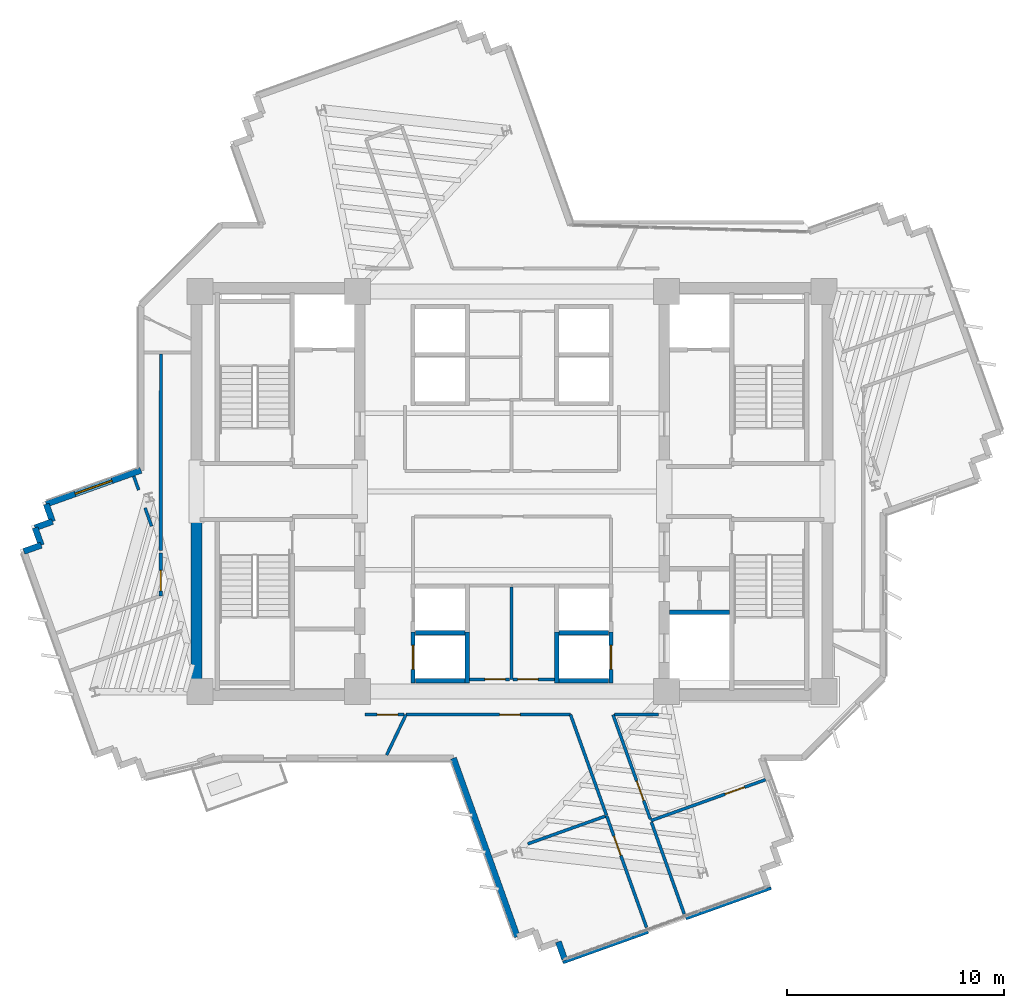
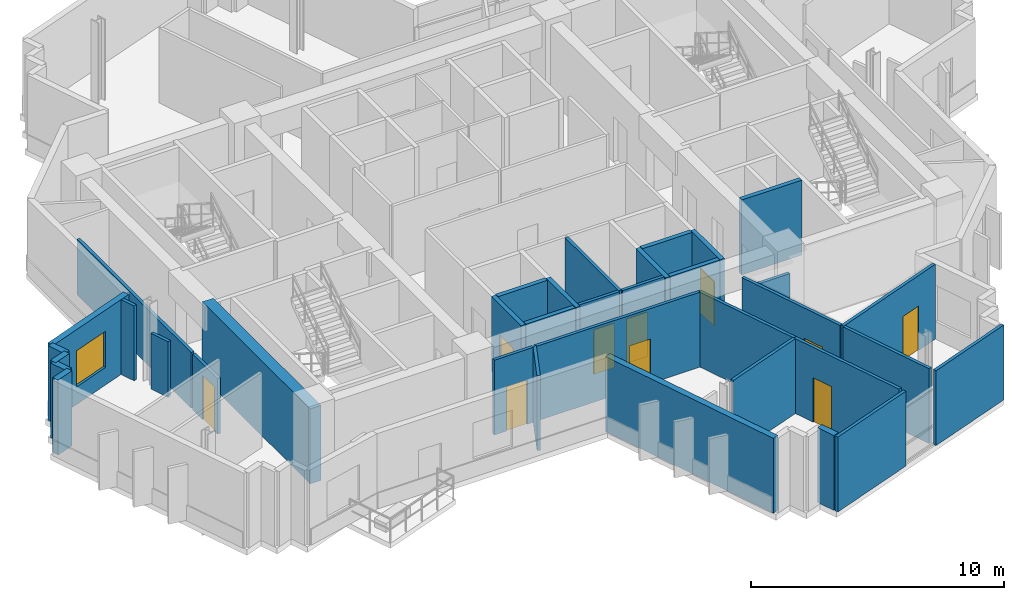
# One storey, part 6 of 13: 36 walls, 10 doors, 1 window, 11 openings.
"""IFC4 building model written with IfcOpenShell, lengths in metres."""

import ifcopenshell
import ifcopenshell.guid

model = None  # the IFC model being written
_history = None  # IfcOwnerHistory: only IFC2X3 demands one
_inside = {}  # id of a spatial element -> (the spatial element, [elements in it])
_under = {}  # id of a project, library or spatial element -> (it, [spatial elements below it])
_declared = {}  # id of a project -> (the project, [libraries it declares])
_typed = {}  # id of a type object -> (the type object, [elements of that type])
_made_of = {}  # id of a material, layer set ... -> (it, [elements and type objects made of it])


def new_model(schema):
    """Start an empty IFC model of exactly this schema.

    Asked for "IFC4X3", IfcOpenShell would pick the latest addendum, in which some entities
    have other attributes; the version numbers below select the first issue.
    IFC2X3 requires an IfcOwnerHistory on every rooted entity: one is made here for all.
    """
    global model, _history
    if schema == "IFC4X3":
        model = ifcopenshell.file(schema_version=(4, 3, 0, 0))
    else:
        model = ifcopenshell.file(schema=schema)
    _inside.clear()
    _under.clear()
    _declared.clear()
    _typed.clear()
    _made_of.clear()
    _history = None
    if model.schema == "IFC2X3":
        org = make("IfcOrganization", Name="unknown")
        user = make(
            "IfcPersonAndOrganization",
            ThePerson=make("IfcPerson", FamilyName="unknown"),
            TheOrganization=org,
        )
        app = make(
            "IfcApplication",
            ApplicationDeveloper=org,
            Version="unknown",
            ApplicationFullName="unknown",
            ApplicationIdentifier="unknown",
        )
        _history = make(
            "IfcOwnerHistory",
            OwningUser=user,
            OwningApplication=app,
            ChangeAction="ADDED",
            CreationDate=0,
        )
    return model


def make(cls, **values):
    """One entity of the class cls with the attributes given. An attribute that is None is left unset."""
    return model.create_entity(
        cls, **{name: value for name, value in values.items() if value is not None}
    )


def rooted(cls, **values):
    """An entity with a GlobalId (a new one), such as an element, a storey or a relation."""
    return make(cls, GlobalId=ifcopenshell.guid.new(), OwnerHistory=_history, **values)


def si_unit(unit_type, name, prefix=None):
    """IfcSIUnit, for example si_unit("LENGTHUNIT", "METRE", prefix="MILLI")."""
    return make("IfcSIUnit", UnitType=unit_type, Prefix=prefix, Name=name)


def assignment(units):
    """IfcUnitAssignment: the units of a project."""
    return None if units is None else make("IfcUnitAssignment", Units=units)


def point(xyz):
    """IfcCartesianPoint."""
    return None if xyz is None else make("IfcCartesianPoint", Coordinates=xyz)


def direction(xyz):
    """IfcDirection."""
    return None if xyz is None else make("IfcDirection", DirectionRatios=xyz)


def frame(location, z_axis=None, x_axis=None):
    """IfcAxis2Placement3D, a coordinate frame: its origin and axes. An axis left out is left unset."""
    return make(
        "IfcAxis2Placement3D",
        Location=point(location),
        Axis=direction(z_axis),
        RefDirection=direction(x_axis),
    )


def frame_2d(location, x_axis=None):
    """IfcAxis2Placement2D, a coordinate frame in the plane: its origin and x axis."""
    return make(
        "IfcAxis2Placement2D", Location=point(location), RefDirection=direction(x_axis)
    )


def origin():
    """The frame at (0, 0, 0) with its axes left unset."""
    return frame((0.0, 0.0, 0.0))


def place(relative_to, where):
    """IfcLocalPlacement: puts the frame where relative to a parent placement (None: the world)."""
    return make(
        "IfcLocalPlacement", PlacementRelTo=relative_to, RelativePlacement=where
    )


def context(
    kind, dimensions, precision=None, world=None, true_north=None, identifier=None
):
    """IfcGeometricRepresentationContext, for example the 3D "Model" context."""
    return make(
        "IfcGeometricRepresentationContext",
        ContextIdentifier=identifier,
        ContextType=kind,
        CoordinateSpaceDimension=dimensions,
        Precision=precision,
        WorldCoordinateSystem=world,
        TrueNorth=true_north,
    )


def subcontext(parent, identifier, kind, view, scale=None):
    """IfcGeometricRepresentationSubContext, for example "Body" below "Model"."""
    return make(
        "IfcGeometricRepresentationSubContext",
        ContextIdentifier=identifier,
        ContextType=kind,
        ParentContext=parent,
        TargetScale=scale,
        TargetView=view,
    )


def project(units=None, contexts=None):
    """IfcProject with its units and contexts."""
    return rooted(
        "IfcProject",
        Name="project",
        RepresentationContexts=contexts,
        UnitsInContext=assignment(units),
    )


def spatial(cls, under=None, at=None, **own):
    """A site, building, storey or space (cls), placed at a placement, below another one or the project."""
    s = rooted(cls, ObjectPlacement=at, **own)
    if under is not None:
        _under.setdefault(under.id(), (under, []))[1].append(s)
    return s


def profile(cls, at=None, kind="AREA", **sizes):
    """A parametric profile (cls). Its sizes go by their IFC names, for example OverallWidth=200.0."""
    return make(cls, ProfileType=kind, Position=at, **sizes)


def rectangle(**sizes):
    """IfcRectangleProfileDef."""
    return profile("IfcRectangleProfileDef", **sizes)


def extrude(swept, where, along, depth):
    """IfcExtrudedAreaSolid: the profile swept, set in the frame where, extruded along a direction by depth."""
    return make(
        "IfcExtrudedAreaSolid",
        SweptArea=swept,
        Position=where,
        ExtrudedDirection=direction(along),
        Depth=depth,
    )


def shape(context_of_items, identifier, shape_type, items):
    """IfcShapeRepresentation: the items that make up one representation, for example the "Body"."""
    return make(
        "IfcShapeRepresentation",
        ContextOfItems=context_of_items,
        RepresentationIdentifier=identifier,
        RepresentationType=shape_type,
        Items=items,
    )


def source(mapping_origin, context_of_items, identifier, shape_type, items):
    """IfcRepresentationMap: a shape defined once, which mapped items show again and again."""
    return make(
        "IfcRepresentationMap",
        MappingOrigin=mapping_origin,
        MappedRepresentation=shape(context_of_items, identifier, shape_type, items),
    )


def transform(
    local_origin,
    x_axis=None,
    y_axis=None,
    z_axis=None,
    scale=None,
    scale2=None,
    scale3=None,
    uniform=True,
):
    """IfcCartesianTransformationOperator3D, or its non-uniform kind. x_axis, y_axis, z_axis: its Axis1, 2, 3."""
    if uniform:
        return make(
            "IfcCartesianTransformationOperator3D",
            Axis1=direction(x_axis),
            Axis2=direction(y_axis),
            LocalOrigin=point(local_origin),
            Scale=scale,
            Axis3=direction(z_axis),
        )
    return make(
        "IfcCartesianTransformationOperator3DnonUniform",
        Axis1=direction(x_axis),
        Axis2=direction(y_axis),
        LocalOrigin=point(local_origin),
        Scale=scale,
        Axis3=direction(z_axis),
        Scale2=scale2,
        Scale3=scale3,
    )


def mapped(mapping_source, mapping_target):
    """IfcMappedItem: shows the shape of a source again, moved by a transform."""
    return make(
        "IfcMappedItem", MappingSource=mapping_source, MappingTarget=mapping_target
    )


def material(Name=None, Category=None):
    """IfcMaterial."""
    return make("IfcMaterial", Name=Name, Category=Category)


def layer(
    of_material, thickness, ventilated=None, Name=None, Category=None, Priority=None
):
    """IfcMaterialLayer: one layer of a wall or slab, of a material (None: an air gap)."""
    return make(
        "IfcMaterialLayer",
        Material=of_material,
        LayerThickness=thickness,
        IsVentilated=ventilated,
        Name=Name,
        Category=Category,
        Priority=Priority,
    )


def layer_set(layers, Name=None):
    """IfcMaterialLayerSet."""
    return make("IfcMaterialLayerSet", MaterialLayers=layers, LayerSetName=Name)


def made_of(thing, what):
    """Note that an element or type object is made of a material, layer set ...; save() writes the relation."""
    if what is not None:
        _made_of.setdefault(what.id(), (what, []))[1].append(thing)
    return thing


def type_object(cls, material=None, **own):
    """A type object (cls), such as IfcWallType, which elements share."""
    return made_of(rooted(cls, **own), material)


def element(
    cls,
    number,
    at=None,
    inside=None,
    cuts=None,
    type_object=None,
    material=None,
    context=None,
    identifier="Body",
    shape_type=None,
    held_by="IfcProductDefinitionShape",
    body=None,
    shapes=None,
    **own,
):
    """One element of the class cls, such as IfcWall. Its Tag is "e" and its number.

    at: its placement. inside: the storey or other place that contains it. cuts: it is an
    opening in that element (IfcRelVoidsElement). A single representation is given by context,
    identifier, shape_type and body (its items); several are given by shapes. held_by: the class
    of the entity that holds the representations. save() writes the other relations.
    """
    e = rooted(cls, Tag="e%d" % number, ObjectPlacement=at, **own)
    if body is not None:
        shapes = [shape(context, identifier, shape_type, body)]
    if shapes is not None:
        e.Representation = make(held_by, Representations=shapes)
    if inside is not None:
        _inside.setdefault(inside.id(), (inside, []))[1].append(e)
    if cuts is not None:
        rooted(
            "IfcRelVoidsElement", RelatingBuildingElement=cuts, RelatedOpeningElement=e
        )
    if type_object is not None:
        _typed.setdefault(type_object.id(), (type_object, []))[1].append(e)
    return made_of(e, material)


def fill(opening, filler):
    """IfcRelFillsElement: the door or window that sits in an opening."""
    return rooted(
        "IfcRelFillsElement",
        RelatingOpeningElement=opening,
        RelatedBuildingElement=filler,
    )


def aggregate(whole, parts):
    """IfcRelAggregates: a whole, such as a stair, and the parts it consists of."""
    return rooted("IfcRelAggregates", RelatingObject=whole, RelatedObjects=parts)


def save(model, path):
    """Write the relations noted so far, then the file.

    IfcRelAggregates (storeys below a building ...), IfcRelContainedInSpatialStructure (elements
    in a storey), IfcRelDefinesByType, IfcRelAssociatesMaterial and IfcRelDeclares: one each for
    every whole, place, type object, material and project.
    """
    for whole, parts in _under.values():
        aggregate(whole, parts)
    for where, things in _inside.values():
        rooted(
            "IfcRelContainedInSpatialStructure",
            RelatedElements=things,
            RelatingStructure=where,
        )
    for kind, things in _typed.values():
        rooted("IfcRelDefinesByType", RelatedObjects=things, RelatingType=kind)
    for what, things in _made_of.values():
        rooted("IfcRelAssociatesMaterial", RelatedObjects=things, RelatingMaterial=what)
    for by, libraries in _declared.values():
        rooted("IfcRelDeclares", RelatingContext=by, RelatedDefinitions=libraries)
    model.write(path)


model = new_model("IFC4")

# Units and contexts
model_context = context("Model", 3, precision=1e-05, world=origin(), true_north=direction((0.0, 1.0)))
body_context = subcontext(model_context, "Body", "Model", "MODEL_VIEW")
ifc_project = project(units=[si_unit("LENGTHUNIT", "METRE"), si_unit("AREAUNIT", "SQUARE_METRE"), si_unit("VOLUMEUNIT", "CUBIC_METRE"), si_unit("PLANEANGLEUNIT", "RADIAN"), si_unit("MASSUNIT", "GRAM", prefix="KILO")], contexts=[model_context])

# Site, building, storey
site_placement = place(None, origin())
site = spatial("IfcSite", under=ifc_project, at=site_placement, CompositionType="ELEMENT")
building_placement = place(site_placement, origin())
building = spatial("IfcBuilding", under=site, at=building_placement, Name="Zahravan Cultural Tower", CompositionType="ELEMENT")
storey_placement = place(building_placement, frame((0.0, 0.0, 221.39990234375)))
storey = spatial("IfcBuildingStorey", under=building, at=storey_placement, Name="L52", CompositionType="ELEMENT", Elevation=221.39990234375)

# Wall, opening, window
ifc_material_1 = material(Name="Precast concrete C40/50", Category="concrete")
ifc_layer_1 = layer(ifc_material_1, 0.280029296875)
ifc_layer_set_1 = layer_set([ifc_layer_1], Name="Precast concrete C40/50")
wall_type_1 = type_object("IfcWallType", Name="EW-TC-280", PredefinedType="SOLIDWALL", material=ifc_layer_set_1)
wall_1_placement = place(storey_placement, frame((14.586181640625, 26.41943359375, 0.0), z_axis=(0.0, 0.0, 1.0), x_axis=(0.941673795185, 0.336527062004, 0.0)))
wall_1 = element("IfcWall", 1, at=wall_1_placement, inside=storey, type_object=wall_type_1, Name="L52 Exterior Masonry Frame Wall 36", PredefinedType="SOLIDWALL", context=body_context, shape_type="SweptSolid", body=[
    extrude(rectangle(XDim=4.62353515625, YDim=0.280029296875, at=frame_2d((2.311767578125, 0.0))), origin(), (0.0, 0.0, 1.0), 3.6201171875),
])
opening_1_placement = place(wall_1_placement, frame((1.412109375, 0.0, 0.85009765625)))
opening_1 = element("IfcOpeningElement", 2, at=opening_1_placement, cuts=wall_1, Name="Opening WN-02", PredefinedType="OPENING", context=body_context, shape_type="SweptSolid", body=[
    extrude(rectangle(XDim=1.800048828125, YDim=1.75, at=frame_2d((0.89990234375, 0.875))), frame((0.0, 0.14990234375, 0.0), z_axis=(0.0, -1.0, 0.0), x_axis=(1.0, 0.0, 0.0)), (0.0, 0.0, 1.0), 0.300048828125),
])
ifc_material_2 = material(Name="Low-E solar-control double glazing", Category="glass")
window_type = type_object("IfcWindowType", Name="WN-REC-1800X1750", PartitioningType="DOUBLE_PANEL_VERTICAL", PredefinedType="WINDOW", material=ifc_material_2)
shared_shape_1 = source(origin(), body_context, "Body", "SweptSolid", [
    extrude(rectangle(XDim=1.800048828125, YDim=1.75, at=frame_2d((0.89990234375, 0.875))), frame((0.0, 0.030029296875, 0.0), z_axis=(0.0, -1.0, 0.0), x_axis=(1.0, 0.0, 0.0)), (0.0, 0.0, 1.0), 0.06005859375),
])
window_placement = place(opening_1_placement, origin())
window = element("IfcWindow", 3, at=window_placement, inside=storey, type_object=window_type, Name="L52 Recessed Solar Window 08", OverallHeight=1.75, OverallWidth=1.800048828125, PartitioningType="DOUBLE_PANEL_VERTICAL", PredefinedType="WINDOW", context=body_context, shape_type="MappedRepresentation", body=[
    mapped(shared_shape_1, transform((0.0, 0.0, 0.0), x_axis=(1.0, 0.0, 0.0), y_axis=(0.0, 1.0, 0.0), z_axis=(0.0, 0.0, 1.0), scale=1.0)),
])
fill(opening_1, window)

# Wall, opening, door
ifc_material_3 = material(Name="Gypsum plasterboard partition")
ifc_layer_2 = layer(ifc_material_3, 0.139892578125)
ifc_layer_set_2 = layer_set([ifc_layer_2], Name="Gypsum plasterboard partition")
wall_type_2 = type_object("IfcWallType", Name="W-PART-140", PredefinedType="PARTITIONING", material=ifc_layer_set_2)
wall_2_placement = place(storey_placement, frame((35.89501953125, 18.360107421875, 0.0), z_axis=(0.0, 0.0, 1.0), x_axis=(-1.0, 0.0, 0.0)))
wall_2 = element("IfcWall", 4, at=wall_2_placement, inside=storey, type_object=wall_type_2, Name="L52 Interior Wall 065", PredefinedType="PARTITIONING", context=body_context, shape_type="SweptSolid", body=[
    extrude(rectangle(XDim=1.840087890625, YDim=0.139892578125, at=frame_2d((0.919921875, 0.0))), origin(), (0.0, 0.0, 1.0), 3.6201171875),
])
opening_2_placement = place(wall_2_placement, frame((0.19580078125, 0.0, 0.0)))
opening_2 = element("IfcOpeningElement", 5, at=opening_2_placement, cuts=wall_2, Name="Opening D-L52-18", PredefinedType="OPENING", context=body_context, shape_type="SweptSolid", body=[
    extrude(rectangle(XDim=0.949951171875, YDim=2.14990234375, at=frame_2d((0.47509765625, 1.074951171875))), frame((0.0, 0.079833984375, 0.0), z_axis=(0.0, -1.0, 0.0), x_axis=(1.0, 0.0, 0.0)), (0.0, 0.0, 1.0), 0.159912109375),
])
ifc_material_4 = material(Name="Anodised bronze-aluminium mullion", Category="aluminium")
door_type_1 = type_object("IfcDoorType", Name="DR-ROOM-950", OperationType="NOTDEFINED", PredefinedType="DOOR", material=ifc_material_4)
shared_shape_2 = source(origin(), body_context, "Body", "SweptSolid", [
    extrude(rectangle(XDim=0.949951171875, YDim=2.14990234375, at=frame_2d((0.47509765625, 1.074951171875))), frame((0.0, 0.02490234375, 0.0), z_axis=(0.0, -1.0, 0.0), x_axis=(1.0, 0.0, 0.0)), (0.0, 0.0, 1.0), 0.050048828125),
])
door_1_placement = place(opening_2_placement, origin())
door_1 = element("IfcDoor", 6, at=door_1_placement, inside=storey, type_object=door_type_1, Name="L52 Door D-L52-18", OperationType="SINGLE_SWING_LEFT", OverallHeight=2.14990234375, OverallWidth=0.949951171875, PredefinedType="DOOR", context=body_context, shape_type="MappedRepresentation", body=[
    mapped(shared_shape_2, transform((0.0, 0.0, 0.0), x_axis=(1.0, 0.0, 0.0), y_axis=(0.0, 1.0, 0.0), z_axis=(0.0, 0.0, 1.0), scale=1.0)),
])
fill(opening_2, door_1)

wall_3_placement = place(storey_placement, frame((37.945068359375, 18.360107421875, 0.0), z_axis=(0.0, 0.0, 1.0), x_axis=(-1.0, 0.0, 0.0)))
wall_3 = element("IfcWall", 7, at=wall_3_placement, inside=storey, type_object=wall_type_2, Name="L52 Interior Wall 067", PredefinedType="PARTITIONING", context=body_context, shape_type="SweptSolid", body=[
    extrude(rectangle(XDim=1.900146484375, YDim=0.139892578125, at=frame_2d((0.9501953125, 0.0))), origin(), (0.0, 0.0, 1.0), 3.6201171875),
])
opening_3_placement = place(wall_3_placement, frame((0.740966796875, 0.0, 0.0)))
opening_3 = element("IfcOpeningElement", 8, at=opening_3_placement, cuts=wall_3, Name="Opening D-L52-19", PredefinedType="OPENING", context=body_context, shape_type="SweptSolid", body=[
    extrude(rectangle(XDim=0.949951171875, YDim=2.14990234375, at=frame_2d((0.47509765625, 1.074951171875))), frame((0.0, 0.079833984375, 0.0), z_axis=(0.0, -1.0, 0.0), x_axis=(1.0, 0.0, 0.0)), (0.0, 0.0, 1.0), 0.159912109375),
])
door_2_placement = place(opening_3_placement, origin())
door_2 = element("IfcDoor", 9, at=door_2_placement, inside=storey, type_object=door_type_1, Name="L52 Door D-L52-19", OperationType="SINGLE_SWING_RIGHT", OverallHeight=2.14990234375, OverallWidth=0.949951171875, PredefinedType="DOOR", context=body_context, shape_type="MappedRepresentation", body=[
    mapped(shared_shape_2, transform((0.0, 0.0, 0.0), x_axis=(1.0, 0.0, 0.0), y_axis=(0.0, 1.0, 0.0), z_axis=(0.0, 0.0, 1.0), scale=1.0)),
])
fill(opening_3, door_2)

wall_4_placement = place(storey_placement, frame((42.3857421875, 11.8662109375, 0.0), z_axis=(0.0, 0.0, 1.0), x_axis=(0.94166093099, 0.336563056568, 0.0)))
wall_4 = element("IfcWall", 10, at=wall_4_placement, inside=storey, type_object=wall_type_2, Name="L52 Interior Wall 083", PredefinedType="PARTITIONING", context=body_context, shape_type="SweptSolid", body=[
    extrude(rectangle(XDim=5.594970703125, YDim=0.139892578125, at=frame_2d((2.79736328125, 0.0))), origin(), (0.0, 0.0, 1.0), 3.6201171875),
])
opening_4_placement = place(wall_4_placement, frame((3.623046875, 0.0, 0.0)))
opening_4 = element("IfcOpeningElement", 11, at=opening_4_placement, cuts=wall_4, Name="Opening D-L52-31", PredefinedType="OPENING", context=body_context, shape_type="SweptSolid", body=[
    extrude(rectangle(XDim=0.949951171875, YDim=2.14990234375, at=frame_2d((0.47509765625, 1.074951171875))), frame((0.0, 0.079833984375, 0.0), z_axis=(0.0, -1.0, 0.0), x_axis=(1.0, 0.0, 0.0)), (0.0, 0.0, 1.0), 0.159912109375),
])
door_3_placement = place(opening_4_placement, origin())
door_3 = element("IfcDoor", 12, at=door_3_placement, inside=storey, type_object=door_type_1, Name="L52 Door D-L52-31", OperationType="SINGLE_SWING_RIGHT", OverallHeight=2.14990234375, OverallWidth=0.949951171875, PredefinedType="DOOR", context=body_context, shape_type="MappedRepresentation", body=[
    mapped(shared_shape_2, transform((0.0, 0.0, 0.0), x_axis=(1.0, 0.0, 0.0), y_axis=(0.0, 1.0, 0.0), z_axis=(0.0, 0.0, 1.0), scale=1.0)),
])
fill(opening_4, door_3)

wall_5_placement = place(storey_placement, frame((40.35009765625, 12.094482421875, 0.0), z_axis=(0.0, 0.0, 1.0), x_axis=(0.336563203689, -0.941660878407, 0.0)))
wall_5 = element("IfcWall", 13, at=wall_5_placement, inside=storey, type_object=wall_type_2, Name="L52 Interior Wall 089", PredefinedType="PARTITIONING", context=body_context, shape_type="SweptSolid", body=[
    extrude(rectangle(XDim=5.455078125, YDim=0.139892578125, at=frame_2d((2.7275390625, 0.0))), origin(), (0.0, 0.0, 1.0), 3.6201171875),
])
opening_5_placement = place(wall_5_placement, frame((0.9912109375, 0.0, 0.0)))
opening_5 = element("IfcOpeningElement", 14, at=opening_5_placement, cuts=wall_5, Name="Opening D-L52-27", PredefinedType="OPENING", context=body_context, shape_type="SweptSolid", body=[
    extrude(rectangle(XDim=0.949951171875, YDim=2.14990234375, at=frame_2d((0.47509765625, 1.074951171875))), frame((0.0, 0.079833984375, 0.0), z_axis=(0.0, -1.0, 0.0), x_axis=(1.0, 0.0, 0.0)), (0.0, 0.0, 1.0), 0.159912109375),
])
door_4_placement = place(opening_5_placement, origin())
door_4 = element("IfcDoor", 15, at=door_4_placement, inside=storey, type_object=door_type_1, Name="L52 Door D-L52-27", OperationType="SINGLE_SWING_RIGHT", OverallHeight=2.14990234375, OverallWidth=0.949951171875, PredefinedType="DOOR", context=body_context, shape_type="MappedRepresentation", body=[
    mapped(shared_shape_2, transform((0.0, 0.0, 0.0), x_axis=(1.0, 0.0, 0.0), y_axis=(0.0, 1.0, 0.0), z_axis=(0.0, 0.0, 1.0), scale=1.0)),
])
fill(opening_5, door_4)

wall_6_placement = place(storey_placement, frame((19.85009765625, 24.1708984375, 0.0), z_axis=(0.0, 0.0, 1.0), x_axis=(0.0, -1.0, 0.0)))
wall_6 = element("IfcWall", 16, at=wall_6_placement, inside=storey, type_object=wall_type_2, Name="L52 Interior Wall 095", PredefinedType="PARTITIONING", context=body_context, shape_type="SweptSolid", body=[
    extrude(rectangle(XDim=1.9658203125, YDim=0.139892578125, at=frame_2d((0.98291015625, 0.0))), origin(), (0.0, 0.0, 1.0), 2.693115234375),
])
opening_6_placement = place(wall_6_placement, frame((0.79248046875, 0.0, 0.0)))
opening_6 = element("IfcOpeningElement", 17, at=opening_6_placement, cuts=wall_6, Name="Opening D-L52-24", PredefinedType="OPENING", context=body_context, shape_type="SweptSolid", body=[
    extrude(rectangle(XDim=0.949951171875, YDim=2.14990234375, at=frame_2d((0.47509765625, 1.074951171875))), frame((0.0, 0.079833984375, 0.0), z_axis=(0.0, -1.0, 0.0), x_axis=(1.0, 0.0, 0.0)), (0.0, 0.0, 1.0), 0.159912109375),
])
door_5_placement = place(opening_6_placement, origin())
door_5 = element("IfcDoor", 18, at=door_5_placement, inside=storey, type_object=door_type_1, Name="L52 Door D-L52-24", OperationType="SINGLE_SWING_LEFT", OverallHeight=2.14990234375, OverallWidth=0.949951171875, PredefinedType="DOOR", context=body_context, shape_type="MappedRepresentation", body=[
    mapped(shared_shape_2, transform((0.0, 0.0, 0.0), x_axis=(1.0, 0.0, 0.0), y_axis=(0.0, 1.0, 0.0), z_axis=(0.0, 0.0, 1.0), scale=1.0)),
])
fill(opening_6, door_5)

wall_7_placement = place(storey_placement, frame((31.126220703125, 16.739990234375, 0.0), z_axis=(0.0, 0.0, 1.0), x_axis=(1.0, 0.0, 0.0)))
wall_7 = element("IfcWall", 19, at=wall_7_placement, inside=storey, type_object=wall_type_2, Name="L52 Interior Wall 097", PredefinedType="PARTITIONING", context=body_context, shape_type="SweptSolid", body=[
    extrude(rectangle(XDim=7.563720703125, YDim=0.139892578125, at=frame_2d((3.78173828125, 0.0))), origin(), (0.0, 0.0, 1.0), 3.6201171875),
])
opening_7_placement = place(wall_7_placement, frame((4.299072265625, 0.0, 0.0)))
opening_7 = element("IfcOpeningElement", 20, at=opening_7_placement, cuts=wall_7, Name="Opening D-L52-26", PredefinedType="OPENING", context=body_context, shape_type="SweptSolid", body=[
    extrude(rectangle(XDim=0.949951171875, YDim=2.14990234375, at=frame_2d((0.47509765625, 1.074951171875))), frame((0.0, 0.079833984375, 0.0), z_axis=(0.0, -1.0, 0.0), x_axis=(1.0, 0.0, 0.0)), (0.0, 0.0, 1.0), 0.159912109375),
])
door_6_placement = place(opening_7_placement, origin())
door_6 = element("IfcDoor", 21, at=door_6_placement, inside=storey, type_object=door_type_1, Name="L52 Door D-L52-26", OperationType="SINGLE_SWING_LEFT", OverallHeight=2.14990234375, OverallWidth=0.949951171875, PredefinedType="DOOR", context=body_context, shape_type="MappedRepresentation", body=[
    mapped(shared_shape_2, transform((0.0, 0.0, 0.0), x_axis=(1.0, 0.0, 0.0), y_axis=(0.0, 1.0, 0.0), z_axis=(0.0, 0.0, 1.0), scale=1.0)),
])
fill(opening_7, door_6)

wall_8_placement = place(storey_placement, frame((42.360595703125, 11.93701171875, 0.0), z_axis=(0.0, 0.0, 1.0), x_axis=(-0.336588056289, 0.941651995359, 0.0)))
wall_8 = element("IfcWall", 22, at=wall_8_placement, inside=storey, type_object=wall_type_2, Name="L52 Interior Wall 100", PredefinedType="PARTITIONING", context=body_context, shape_type="SweptSolid", body=[
    extrude(rectangle(XDim=5.1005859375, YDim=0.139892578125, at=frame_2d((2.55029296875, 0.0))), origin(), (0.0, 0.0, 1.0), 3.6201171875),
])
opening_8_placement = place(wall_8_placement, frame((0.9130859375, 0.0, 0.0)))
opening_8 = element("IfcOpeningElement", 23, at=opening_8_placement, cuts=wall_8, Name="Opening D-L52-28", PredefinedType="OPENING", context=body_context, shape_type="SweptSolid", body=[
    extrude(rectangle(XDim=0.949951171875, YDim=2.14990234375, at=frame_2d((0.47509765625, 1.074951171875))), frame((0.0, 0.079833984375, 0.0), z_axis=(0.0, -1.0, 0.0), x_axis=(1.0, 0.0, 0.0)), (0.0, 0.0, 1.0), 0.159912109375),
])
door_7_placement = place(opening_8_placement, origin())
door_7 = element("IfcDoor", 24, at=door_7_placement, inside=storey, type_object=door_type_1, Name="L52 Door D-L52-28", OperationType="SINGLE_SWING_LEFT", OverallHeight=2.14990234375, OverallWidth=0.949951171875, PredefinedType="DOOR", context=body_context, shape_type="MappedRepresentation", body=[
    mapped(shared_shape_2, transform((0.0, 0.0, 0.0), x_axis=(1.0, 0.0, 0.0), y_axis=(0.0, 1.0, 0.0), z_axis=(0.0, 0.0, 1.0), scale=1.0)),
])
fill(opening_8, door_7)

wall_9_placement = place(storey_placement, frame((29.251708984375, 16.74267578125, 0.0), z_axis=(0.0, 0.0, 1.0), x_axis=(0.999998876126, -0.00149924869, 0.0)))
wall_9 = element("IfcWall", 25, at=wall_9_placement, inside=storey, type_object=wall_type_2, Name="L52 Interior Wall 106", PredefinedType="PARTITIONING", context=body_context, shape_type="SweptSolid", body=[
    extrude(rectangle(XDim=1.791259765625, YDim=0.139892578125, at=frame_2d((0.8955078125, 0.0))), origin(), (0.0, 0.0, 1.0), 3.6201171875),
])
opening_9_placement = place(wall_9_placement, frame((0.546875, 0.0, 0.0)))
opening_9 = element("IfcOpeningElement", 26, at=opening_9_placement, cuts=wall_9, Name="Opening D-L52-25", PredefinedType="OPENING", context=body_context, shape_type="SweptSolid", body=[
    extrude(rectangle(XDim=0.949951171875, YDim=2.14990234375, at=frame_2d((0.47509765625, 1.074951171875))), frame((0.0, 0.079833984375, 0.0), z_axis=(0.0, -1.0, 0.0), x_axis=(1.0, 0.0, 0.0)), (0.0, 0.0, 1.0), 0.159912109375),
])
door_8_placement = place(opening_9_placement, origin())
door_8 = element("IfcDoor", 27, at=door_8_placement, inside=storey, type_object=door_type_1, Name="L52 Door D-L52-25", OperationType="SINGLE_SWING_RIGHT", OverallHeight=2.14990234375, OverallWidth=0.949951171875, PredefinedType="DOOR", context=body_context, shape_type="MappedRepresentation", body=[
    mapped(shared_shape_2, transform((0.0, 0.0, 0.0), x_axis=(1.0, 0.0, 0.0), y_axis=(0.0, 1.0, 0.0), z_axis=(0.0, 0.0, 1.0), scale=1.0)),
])
fill(opening_9, door_8)

ifc_material_5 = material(Name="Concrete C45/55", Category="concrete")
ifc_layer_3 = layer(ifc_material_5, 0.199951171875)
ifc_layer_set_3 = layer_set([ifc_layer_3], Name="Concrete C45/55")
wall_type_3 = type_object("IfcWallType", Name="W-SHAFT-200", PredefinedType="SOLIDWALL", material=ifc_layer_set_3)
wall_10_placement = place(storey_placement, frame((31.449951171875, 18.199951171875, 0.0), z_axis=(0.0, 0.0, 1.0), x_axis=(0.0, 1.0, 0.0)))
wall_10 = element("IfcWall", 28, at=wall_10_placement, inside=storey, type_object=wall_type_3, Name="L52 Interior Wall 046", PredefinedType="SOLIDWALL", context=body_context, shape_type="SweptSolid", body=[
    extrude(rectangle(XDim=2.35009765625, YDim=0.199951171875, at=frame_2d((1.175048828125, 0.0))), origin(), (0.0, 0.0, 1.0), 3.6201171875),
])
opening_10_placement = place(wall_10_placement, frame((0.625, 0.0, 0.0)))
opening_10 = element("IfcOpeningElement", 29, at=opening_10_placement, cuts=wall_10, Name="Opening LD-L52-05", PredefinedType="OPENING", context=body_context, shape_type="SweptSolid", body=[
    extrude(rectangle(XDim=1.10009765625, YDim=2.14990234375, at=frame_2d((0.550048828125, 1.074951171875))), frame((0.0, 0.10986328125, 0.0), z_axis=(0.0, -1.0, 0.0), x_axis=(1.0, 0.0, 0.0)), (0.0, 0.0, 1.0), 0.219970703125),
])
ifc_material_6 = material(Name="Steel ASTM A572 Grade 50", Category="steel")
door_type_2 = type_object("IfcDoorType", Name="DR-LIFT-1100", OperationType="DOUBLE_DOOR_SLIDING", PredefinedType="DOOR", material=ifc_material_6)
shared_shape_3 = source(origin(), body_context, "Body", "SweptSolid", [
    extrude(rectangle(XDim=1.10009765625, YDim=2.14990234375, at=frame_2d((0.550048828125, 1.074951171875))), frame((0.0, 0.02490234375, 0.0), z_axis=(0.0, -1.0, 0.0), x_axis=(1.0, 0.0, 0.0)), (0.0, 0.0, 1.0), 0.050048828125),
])
door_9_placement = place(opening_10_placement, origin())
door_9 = element("IfcDoor", 30, at=door_9_placement, inside=storey, type_object=door_type_2, Name="L52 Door LD-L52-05", OperationType="DOUBLE_DOOR_SLIDING", OverallHeight=2.14990234375, OverallWidth=1.10009765625, PredefinedType="DOOR", context=body_context, shape_type="MappedRepresentation", body=[
    mapped(shared_shape_3, transform((0.0, 0.0, 0.0), x_axis=(1.0, 0.0, 0.0), y_axis=(0.0, 1.0, 0.0), z_axis=(0.0, 0.0, 1.0), scale=1.0)),
])
fill(opening_10, door_9)

wall_11_placement = place(storey_placement, frame((40.550048828125, 18.199951171875, 0.0), z_axis=(0.0, 0.0, 1.0), x_axis=(0.0, 1.0, 0.0)))
wall_11 = element("IfcWall", 31, at=wall_11_placement, inside=storey, type_object=wall_type_3, Name="L52 Interior Wall 054", PredefinedType="SOLIDWALL", context=body_context, shape_type="SweptSolid", body=[
    extrude(rectangle(XDim=2.35009765625, YDim=0.199951171875, at=frame_2d((1.175048828125, 0.0))), origin(), (0.0, 0.0, 1.0), 3.6201171875),
])
opening_11_placement = place(wall_11_placement, frame((0.625, 0.0, 0.0)))
opening_11 = element("IfcOpeningElement", 32, at=opening_11_placement, cuts=wall_11, Name="Opening LD-L52-07", PredefinedType="OPENING", context=body_context, shape_type="SweptSolid", body=[
    extrude(rectangle(XDim=1.10009765625, YDim=2.14990234375, at=frame_2d((0.550048828125, 1.074951171875))), frame((0.0, 0.10986328125, 0.0), z_axis=(0.0, -1.0, 0.0), x_axis=(1.0, 0.0, 0.0)), (0.0, 0.0, 1.0), 0.219970703125),
])
door_10_placement = place(opening_11_placement, origin())
door_10 = element("IfcDoor", 33, at=door_10_placement, inside=storey, type_object=door_type_2, Name="L52 Door LD-L52-07", OperationType="DOUBLE_DOOR_SLIDING", OverallHeight=2.14990234375, OverallWidth=1.10009765625, PredefinedType="DOOR", context=body_context, shape_type="MappedRepresentation", body=[
    mapped(shared_shape_3, transform((0.0, 0.0, 0.0), x_axis=(1.0, 0.0, 0.0), y_axis=(0.0, 1.0, 0.0), z_axis=(0.0, 0.0, 1.0), scale=1.0)),
])
fill(opening_11, door_10)

# Walls
ifc_material_7 = material(Name="Concrete C60/75", Category="concrete")
ifc_layer_4 = layer(ifc_material_7, 0.5)
ifc_layer_set_4 = layer_set([ifc_layer_4], Name="Concrete C60/75")
wall_type_4 = type_object("IfcWallType", Name="CW-SHEAR-500-C60", PredefinedType="SHEAR", material=ifc_layer_set_4)
shared_shape_4 = source(origin(), body_context, "Body", "SweptSolid", [
    extrude(rectangle(XDim=8.550048828125, YDim=0.5, at=frame_2d((4.27490234375, 0.0))), origin(), (0.0, 0.0, 1.0), 3.6201171875),
])
wall_12_placement = place(storey_placement, frame((21.5, 17.39990234375, 0.0), z_axis=(0.0, 0.0, 1.0), x_axis=(0.0, 1.0, 0.0)))
element("IfcWall", 34, at=wall_12_placement, inside=storey, type_object=wall_type_4, Name="L52 Core Shear Wall CW-W-WS-L52", PredefinedType="SHEAR", context=body_context, shape_type="MappedRepresentation", body=[
    mapped(shared_shape_4, transform((0.0, 0.0, 0.0), x_axis=(1.0, 0.0, 0.0), y_axis=(0.0, 1.0, 0.0), z_axis=(0.0, 0.0, 1.0), scale=1.0)),
])
shared_shape_5 = source(origin(), body_context, "Body", "SweptSolid", [
    extrude(rectangle(XDim=0.85009765625, YDim=0.280029296875, at=frame_2d((0.425048828125, 0.0))), origin(), (0.0, 0.0, 1.0), 3.6201171875),
])
for number, where, z_axis, x_axis, name in (
    (35, (38.4169921875, 5.499267578125, 0.0), (0.0, 0.0, 1.0), (-0.336318202891, 0.941748409292, 0.0), "L52 Exterior Masonry Frame Wall 20"),
    (36, (14.35791015625, 24.532470703125, 0.0), (0.0, 0.0, 1.0), (-0.336318202891, 0.941748409292, 0.0), "L52 Exterior Masonry Frame Wall 33"),
    (37, (14.872314453125, 25.618896484375, 0.0), (0.0, 0.0, 1.0), (-0.336572886112, 0.941657417713, 0.0), "L52 Exterior Masonry Frame Wall 35"),
):
    element("IfcWall", number, at=place(storey_placement, frame(where, z_axis=z_axis, x_axis=x_axis)), inside=storey, type_object=wall_type_1, Name=name, PredefinedType="SOLIDWALL", context=body_context, shape_type="MappedRepresentation", body=[
        mapped(shared_shape_5, transform((0.0, 0.0, 0.0), x_axis=(1.0, 0.0, 0.0), y_axis=(0.0, 1.0, 0.0), z_axis=(0.0, 0.0, 1.0), scale=1.0)),
    ])
shared_shape_6 = source(origin(), body_context, "Body", "SweptSolid", [
    extrude(rectangle(XDim=0.849853515625, YDim=0.280029296875, at=frame_2d((0.4248046875, 0.0))), origin(), (0.0, 0.0, 1.0), 3.6201171875),
])
for number, where, z_axis, x_axis, name in (
    (38, (13.5576171875, 24.246337890625, 0.0), (0.0, 0.0, 1.0), (0.941624872587, 0.33666392638, 0.0), "L52 Exterior Masonry Frame Wall 32"),
    (39, (14.072021484375, 25.3330078125, 0.0), (0.0, 0.0, 1.0), (0.941715910258, 0.336409191858, 0.0), "L52 Exterior Masonry Frame Wall 34"),
):
    element("IfcWall", number, at=place(storey_placement, frame(where, z_axis=z_axis, x_axis=x_axis)), inside=storey, type_object=wall_type_1, Name=name, PredefinedType="SOLIDWALL", context=body_context, shape_type="MappedRepresentation", body=[
        mapped(shared_shape_6, transform((0.0, 0.0, 0.0), x_axis=(1.0, 0.0, 0.0), y_axis=(0.0, 1.0, 0.0), z_axis=(0.0, 0.0, 1.0), scale=1.0)),
    ])
shared_shape_7 = source(origin(), body_context, "Body", "SweptSolid", [
    extrude(rectangle(XDim=8.720947265625, YDim=0.280029296875, at=frame_2d((4.3603515625, 0.0))), origin(), (0.0, 0.0, 1.0), 3.6201171875),
])
wall_13_placement = place(storey_placement, frame((36.244140625, 6.52783203125, 0.0), z_axis=(0.0, 0.0, 1.0), x_axis=(-0.336554520074, 0.941663982011, 0.0)))
element("IfcWall", 40, at=wall_13_placement, inside=storey, type_object=wall_type_1, Name="L52 Exterior Masonry Frame Wall 24", PredefinedType="SOLIDWALL", context=body_context, shape_type="MappedRepresentation", body=[
    mapped(shared_shape_7, transform((0.0, 0.0, 0.0), x_axis=(1.0, 0.0, 0.0), y_axis=(0.0, 1.0, 0.0), z_axis=(0.0, 0.0, 1.0), scale=1.0)),
])
shared_shape_8 = source(origin(), body_context, "Body", "SweptSolid", [
    extrude(rectangle(XDim=2.75, YDim=0.199951171875, at=frame_2d((1.375, 0.0))), origin(), (0.0, 0.0, 1.0), 3.6201171875),
])
wall_14_placement = place(storey_placement, frame((43.25, 21.449951171875, 0.0), z_axis=(0.0, 0.0, 1.0), x_axis=(1.0, 0.0, 0.0)))
element("IfcWall", 41, at=wall_14_placement, inside=storey, type_object=wall_type_3, Name="L52 Interior Wall 025", PredefinedType="SOLIDWALL", context=body_context, shape_type="MappedRepresentation", body=[
    mapped(shared_shape_8, transform((0.0, 0.0, 0.0), x_axis=(1.0, 0.0, 0.0), y_axis=(0.0, 1.0, 0.0), z_axis=(0.0, 0.0, 1.0), scale=1.0)),
])
shared_shape_9 = source(origin(), body_context, "Body", "SweptSolid", [
    extrude(rectangle(XDim=2.260009765625, YDim=0.199951171875, at=frame_2d((1.1298828125, 0.0))), origin(), (0.0, 0.0, 1.0), 3.6201171875),
])
for number, where, z_axis, x_axis, name in (
    (42, (31.570068359375, 20.5, 0.0), (0.0, 0.0, 1.0), (1.0, 0.0, 0.0), "L52 Interior Wall 044"),
    (43, (31.570068359375, 18.300048828125, 0.0), (0.0, 0.0, 1.0), (1.0, 0.0, 0.0), "L52 Interior Wall 048"),
    (44, (38.169921875, 20.5, 0.0), (0.0, 0.0, 1.0), (1.0, 0.0, 0.0), "L52 Interior Wall 051"),
    (45, (38.169921875, 18.300048828125, 0.0), (0.0, 0.0, 1.0), (1.0, 0.0, 0.0), "L52 Interior Wall 055"),
):
    element("IfcWall", number, at=place(storey_placement, frame(where, z_axis=z_axis, x_axis=x_axis)), inside=storey, type_object=wall_type_3, Name=name, PredefinedType="SOLIDWALL", context=body_context, shape_type="MappedRepresentation", body=[
        mapped(shared_shape_9, transform((0.0, 0.0, 0.0), x_axis=(1.0, 0.0, 0.0), y_axis=(0.0, 1.0, 0.0), z_axis=(0.0, 0.0, 1.0), scale=1.0)),
    ])
shared_shape_10 = source(origin(), body_context, "Body", "SweptSolid", [
    extrude(rectangle(XDim=2.35009765625, YDim=0.199951171875, at=frame_2d((1.175048828125, 0.0))), origin(), (0.0, 0.0, 1.0), 3.6201171875),
])
for number, where, z_axis, x_axis, name in (
    (46, (33.949951171875, 18.199951171875, 0.0), (0.0, 0.0, 1.0), (0.0, 1.0, 0.0), "L52 Interior Wall 047"),
    (47, (38.050048828125, 18.199951171875, 0.0), (0.0, 0.0, 1.0), (0.0, 1.0, 0.0), "L52 Interior Wall 053"),
):
    element("IfcWall", number, at=place(storey_placement, frame(where, z_axis=z_axis, x_axis=x_axis)), inside=storey, type_object=wall_type_3, Name=name, PredefinedType="SOLIDWALL", context=body_context, shape_type="MappedRepresentation", body=[
        mapped(shared_shape_10, transform((0.0, 0.0, 0.0), x_axis=(1.0, 0.0, 0.0), y_axis=(0.0, 1.0, 0.0), z_axis=(0.0, 0.0, 1.0), scale=1.0)),
    ])
shared_shape_11 = source(origin(), body_context, "Body", "SweptSolid", [
    extrude(rectangle(XDim=4.244873046875, YDim=0.139892578125, at=frame_2d((2.12255859375, 0.0))), origin(), (0.0, 0.0, 1.0), 3.6201171875),
])
wall_15_placement = place(storey_placement, frame((35.969970703125, 22.60498046875, 0.0), z_axis=(0.0, 0.0, 1.0), x_axis=(0.0, -1.0, 0.0)))
element("IfcWall", 48, at=wall_15_placement, inside=storey, type_object=wall_type_2, Name="L52 Interior Wall 064", PredefinedType="PARTITIONING", context=body_context, shape_type="MappedRepresentation", body=[
    mapped(shared_shape_11, transform((0.0, 0.0, 0.0), x_axis=(1.0, 0.0, 0.0), y_axis=(0.0, 1.0, 0.0), z_axis=(0.0, 0.0, 1.0), scale=1.0)),
])
shared_shape_12 = source(origin(), body_context, "Body", "SweptSolid", [
    extrude(rectangle(XDim=4.159912109375, YDim=0.139892578125, at=frame_2d((2.080078125, 0.0))), origin(), (0.0, 0.0, 1.0), 3.6201171875),
])
for number, where, z_axis, x_axis, name in (
    (49, (47.91162109375, 8.76513671875, 0.0), (0.0, 0.0, 1.0), (-0.94167417377, -0.336526002642, 0.0), "L52 Interior Wall 084"),
    (50, (42.26171875, 6.745849609375, 0.0), (0.0, 0.0, 1.0), (-0.94167417377, -0.336526002642, 0.0), "L52 Interior Wall 090"),
):
    element("IfcWall", number, at=place(storey_placement, frame(where, z_axis=z_axis, x_axis=x_axis)), inside=storey, type_object=wall_type_2, Name=name, PredefinedType="PARTITIONING", context=body_context, shape_type="MappedRepresentation", body=[
        mapped(shared_shape_12, transform((0.0, 0.0, 0.0), x_axis=(1.0, 0.0, 0.0), y_axis=(0.0, 1.0, 0.0), z_axis=(0.0, 0.0, 1.0), scale=1.0)),
    ])
shared_shape_13 = source(origin(), body_context, "Body", "SweptSolid", [
    extrude(rectangle(XDim=9.037841796875, YDim=0.139892578125, at=frame_2d((4.51904296875, 0.0))), origin(), (0.0, 0.0, 1.0), 2.693115234375),
])
wall_16_placement = place(storey_placement, frame((19.851318359375, 33.3203125, 0.0), z_axis=(0.0, 0.0, 1.0), x_axis=(-0.000135065776, -0.999999990879, 0.0)))
element("IfcWall", 51, at=wall_16_placement, inside=storey, type_object=wall_type_2, Name="L52 Interior Wall 069", PredefinedType="PARTITIONING", context=body_context, shape_type="MappedRepresentation", body=[
    mapped(shared_shape_13, transform((0.0, 0.0, 0.0), x_axis=(1.0, 0.0, 0.0), y_axis=(0.0, 1.0, 0.0), z_axis=(0.0, 0.0, 1.0), scale=1.0)),
])
shared_shape_14 = source(origin(), body_context, "Body", "SweptSolid", [
    extrude(rectangle(XDim=0.89599609375, YDim=0.139892578125, at=frame_2d((0.447998046875, 0.0))), origin(), (0.0, 0.0, 1.0), 2.693115234375),
])
wall_17_placement = place(storey_placement, frame((19.43017578125, 25.4052734375, 0.0), z_axis=(0.0, 0.0, 1.0), x_axis=(-0.336509001165, 0.941680249413, 0.0)))
element("IfcWall", 52, at=wall_17_placement, inside=storey, type_object=wall_type_2, Name="L52 Interior Wall 070", PredefinedType="PARTITIONING", context=body_context, shape_type="MappedRepresentation", body=[
    mapped(shared_shape_14, transform((0.0, 0.0, 0.0), x_axis=(1.0, 0.0, 0.0), y_axis=(0.0, 1.0, 0.0), z_axis=(0.0, 0.0, 1.0), scale=1.0)),
])
shared_shape_15 = source(origin(), body_context, "Body", "SweptSolid", [
    extrude(rectangle(XDim=0.673828125, YDim=0.139892578125, at=frame_2d((0.3369140625, 0.0))), origin(), (0.0, 0.0, 1.0), 3.6201171875),
])
wall_18_placement = place(storey_placement, frame((18.835693359375, 27.068603515625, 0.0), z_axis=(0.0, 0.0, 1.0), x_axis=(-0.336588856473, 0.941651709337, 0.0)))
element("IfcWall", 53, at=wall_18_placement, inside=storey, type_object=wall_type_2, Name="L52 Interior Wall 071", PredefinedType="PARTITIONING", context=body_context, shape_type="MappedRepresentation", body=[
    mapped(shared_shape_15, transform((0.0, 0.0, 0.0), x_axis=(1.0, 0.0, 0.0), y_axis=(0.0, 1.0, 0.0), z_axis=(0.0, 0.0, 1.0), scale=1.0)),
])
shared_shape_16 = source(origin(), body_context, "Body", "SweptSolid", [
    extrude(rectangle(XDim=4.480224609375, YDim=0.139892578125, at=frame_2d((2.240234375, 0.0))), origin(), (0.0, 0.0, 1.0), 3.6201171875),
])
wall_19_placement = place(storey_placement, frame((43.918701171875, 7.576904296875, 0.0), z_axis=(0.0, 0.0, 1.0), x_axis=(-0.336557324255, 0.941662979781, 0.0)))
element("IfcWall", 54, at=wall_19_placement, inside=storey, type_object=wall_type_2, Name="L52 Interior Wall 085", PredefinedType="PARTITIONING", context=body_context, shape_type="MappedRepresentation", body=[
    mapped(shared_shape_16, transform((0.0, 0.0, 0.0), x_axis=(1.0, 0.0, 0.0), y_axis=(0.0, 1.0, 0.0), z_axis=(0.0, 0.0, 1.0), scale=1.0)),
])
shared_shape_17 = source(origin(), body_context, "Body", "SweptSolid", [
    extrude(rectangle(XDim=3.7744140625, YDim=0.139892578125, at=frame_2d((1.88720703125, 0.0))), origin(), (0.0, 0.0, 1.0), 3.6201171875),
])
wall_20_placement = place(storey_placement, frame((36.725341796875, 10.799072265625, 0.0), z_axis=(0.0, 0.0, 1.0), x_axis=(0.94166578898, 0.336549464216, 0.0)))
element("IfcWall", 55, at=wall_20_placement, inside=storey, type_object=wall_type_2, Name="L52 Interior Wall 092", PredefinedType="PARTITIONING", context=body_context, shape_type="MappedRepresentation", body=[
    mapped(shared_shape_17, transform((0.0, 0.0, 0.0), x_axis=(1.0, 0.0, 0.0), y_axis=(0.0, 1.0, 0.0), z_axis=(0.0, 0.0, 1.0), scale=1.0)),
])
shared_shape_18 = source(origin(), body_context, "Body", "SweptSolid", [
    extrude(rectangle(XDim=4.913330078125, YDim=0.139892578125, at=frame_2d((2.45654296875, 0.0))), origin(), (0.0, 0.0, 1.0), 3.6201171875),
])
wall_21_placement = place(storey_placement, frame((38.68994140625, 16.739990234375, 0.0), z_axis=(0.0, 0.0, 1.0), x_axis=(0.336547288081, -0.941666566724, 0.0)))
element("IfcWall", 56, at=wall_21_placement, inside=storey, type_object=wall_type_2, Name="L52 Interior Wall 098", PredefinedType="PARTITIONING", context=body_context, shape_type="MappedRepresentation", body=[
    mapped(shared_shape_18, transform((0.0, 0.0, 0.0), x_axis=(1.0, 0.0, 0.0), y_axis=(0.0, 1.0, 0.0), z_axis=(0.0, 0.0, 1.0), scale=1.0)),
])
shared_shape_19 = source(origin(), body_context, "Body", "SweptSolid", [
    extrude(rectangle(XDim=2.056884765625, YDim=0.139892578125, at=frame_2d((1.0283203125, 0.0))), origin(), (0.0, 0.0, 1.0), 3.6201171875),
])
wall_22_placement = place(storey_placement, frame((30.2373046875, 14.885009765625, 0.0), z_axis=(0.0, 0.0, 1.0), x_axis=(0.43214833388, 0.90180253799, 0.0)))
element("IfcWall", 57, at=wall_22_placement, inside=storey, type_object=wall_type_2, Name="L52 Interior Wall 099", PredefinedType="PARTITIONING", context=body_context, shape_type="MappedRepresentation", body=[
    mapped(shared_shape_19, transform((0.0, 0.0, 0.0), x_axis=(1.0, 0.0, 0.0), y_axis=(0.0, 1.0, 0.0), z_axis=(0.0, 0.0, 1.0), scale=1.0)),
])
shared_shape_20 = source(origin(), body_context, "Body", "SweptSolid", [
    extrude(rectangle(XDim=2.023193359375, YDim=0.139892578125, at=frame_2d((1.01171875, 0.0))), origin(), (0.0, 0.0, 1.0), 3.0791015625),
])
wall_23_placement = place(storey_placement, frame((40.723388671875, 16.739990234375, 0.0), z_axis=(0.0, 0.0, 1.0), x_axis=(0.999999817982, 0.000603354542, 0.0)))
element("IfcWall", 58, at=wall_23_placement, inside=storey, type_object=wall_type_2, Name="L52 Interior Wall 101", PredefinedType="PARTITIONING", context=body_context, shape_type="MappedRepresentation", body=[
    mapped(shared_shape_20, transform((0.0, 0.0, 0.0), x_axis=(1.0, 0.0, 0.0), y_axis=(0.0, 1.0, 0.0), z_axis=(0.0, 0.0, 1.0), scale=1.0)),
])

save(model, "model.ifc")
